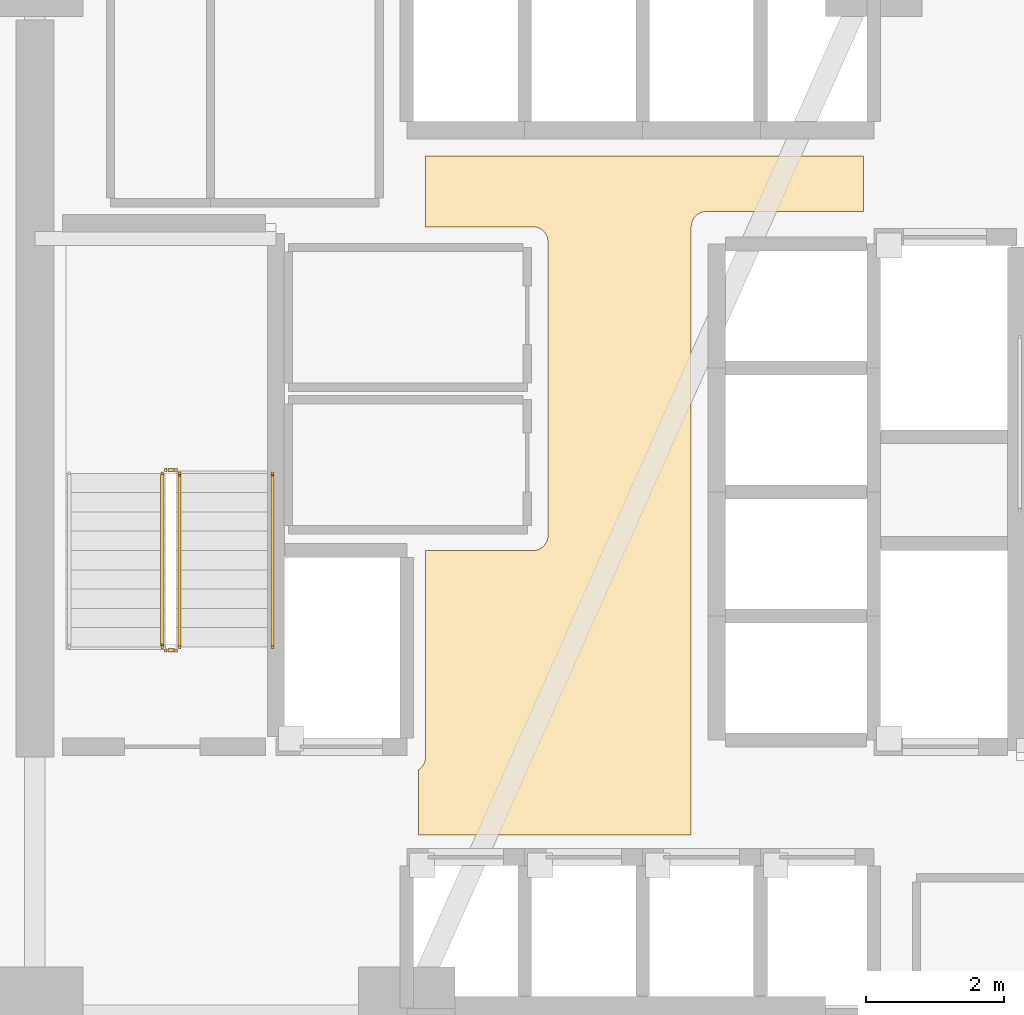
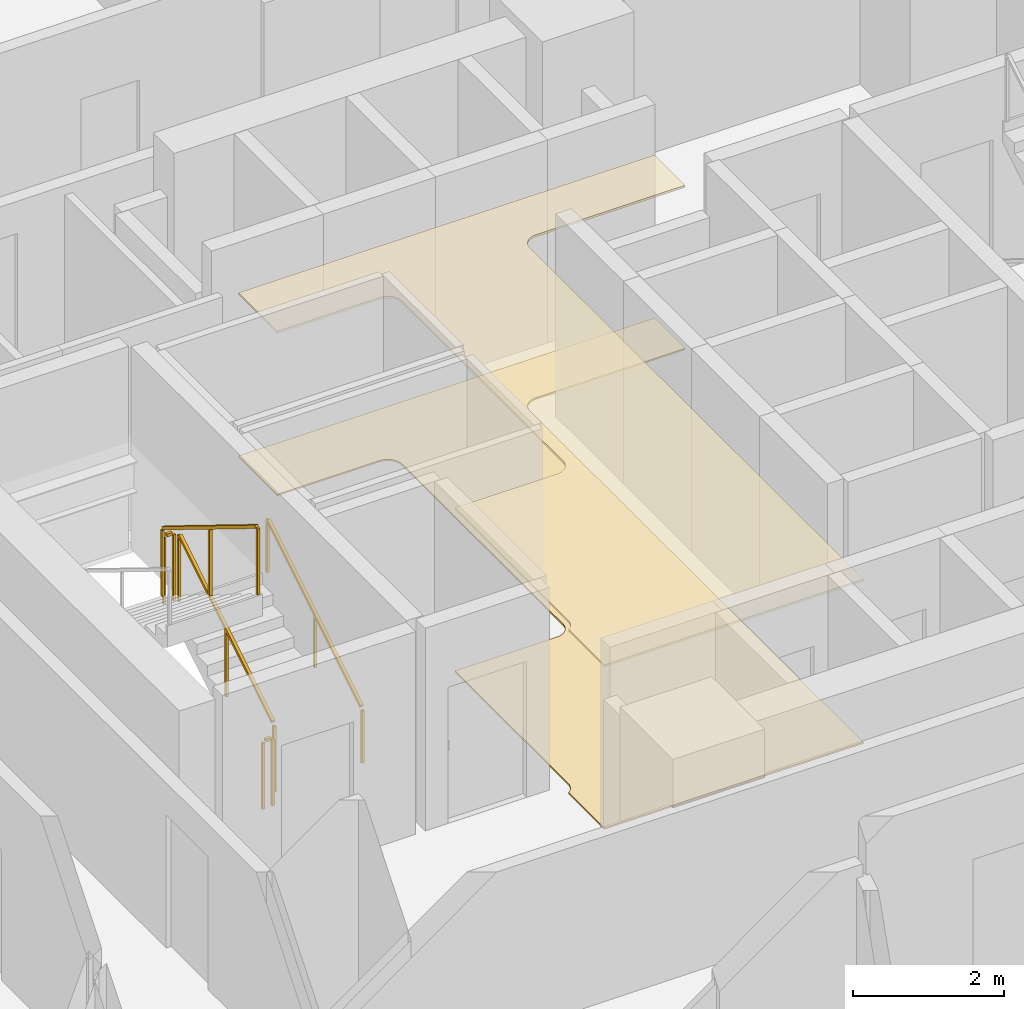
# One storey, part 12 of 15: 5 railings, 2 coverings.
"""IFC4 building model written with IfcOpenShell, lengths in metres."""

from ifc_helpers import new_model, si_unit, direction, frame, origin, origin_2d, place, context, subcontext, project, spatial, polyline, rectangle, outline, extrude, material, layer, layer_set, type_object, element, save


model = new_model("IFC4")

# Units and contexts
model_context = context("Model", 3, precision=1e-05, world=origin(), true_north=direction((0.0, 1.0)))
body_context = subcontext(model_context, "Body", "Model", "MODEL_VIEW")
ifc_project = project(units=[si_unit("LENGTHUNIT", "METRE"), si_unit("AREAUNIT", "SQUARE_METRE"), si_unit("VOLUMEUNIT", "CUBIC_METRE"), si_unit("PLANEANGLEUNIT", "RADIAN"), si_unit("MASSUNIT", "GRAM", prefix="KILO")], contexts=[model_context])

# Site, building, storey
site_placement = place(None, origin())
site = spatial("IfcSite", under=ifc_project, at=site_placement, CompositionType="ELEMENT")
building_placement = place(site_placement, origin())
building = spatial("IfcBuilding", under=site, at=building_placement, Name="Tharavind Bronze Gate", CompositionType="ELEMENT")
storey_placement = place(building_placement, frame((0.0, 0.0, 67.300048828125)))
storey = spatial("IfcBuildingStorey", under=building, at=storey_placement, Name="L16", CompositionType="ELEMENT", Elevation=67.300048828125)

# Coverings
ifc_material_1 = material(Name="Perforated Bronze Acoustic Panel", Category="bronze")
ifc_layer_1 = layer(ifc_material_1, 0.044921875)
ifc_layer_set_1 = layer_set([ifc_layer_1], Name="Perforated Bronze Acoustic Panel")
covering_type_1 = type_object("IfcCoveringType", Name="ACOUSTIC BRONZE BAFFLE CEILING", PredefinedType="CEILING", material=ifc_layer_set_1)
covering_1_placement = place(storey_placement, frame((0.0, 0.0, 2.625)))
element("IfcCovering", 1, at=covering_1_placement, inside=storey, type_object=covering_type_1, Name="L16-C-LL suspended ceiling", PredefinedType="CEILING", context=body_context, shape_type="SweptSolid", body=[
    extrude(outline(polyline([(-3.330078125, -4.97998046875), (0.6298828125, -4.97998046875), (0.6298828125, 3.85009765625), (0.631103515625, 3.87158203125), (0.63427734375, 3.892822265625), (0.639404296875, 3.913818359375), (0.646728515625, 3.93408203125), (0.656005859375, 3.95361328125), (0.6669921875, 3.97216796875), (0.679931640625, 3.989501953125), (0.6943359375, 4.005615234375), (0.71044921875, 4.02001953125), (0.727783203125, 4.032958984375), (0.746337890625, 4.0439453125), (0.765869140625, 4.05322265625), (0.7861328125, 4.060546875), (0.80712890625, 4.06591796875), (0.828369140625, 4.06884765625), (0.85009765625, 4.070068359375), (3.1298828125, 4.070068359375), (3.1298828125, 4.8798828125), (-3.22998046875, 4.8798828125), (-3.22998046875, 3.85009765625), (-1.669921875, 3.85009765625), (-1.6484375, 3.848876953125), (-1.627197265625, 3.845703125), (-1.606201171875, 3.840576171875), (-1.585693359375, 3.833251953125), (-1.56640625, 3.823974609375), (-1.5478515625, 3.81298828125), (-1.530517578125, 3.800048828125), (-1.514404296875, 3.78564453125), (-1.5, 3.76953125), (-1.487060546875, 3.752197265625), (-1.47607421875, 3.733642578125), (-1.466796875, 3.714111328125), (-1.45947265625, 3.69384765625), (-1.4541015625, 3.6728515625), (-1.451171875, 3.651611328125), (-1.449951171875, 3.6298828125), (-1.449951171875, 1.43994140625), (-1.450439453125, 1.429931640625), (-1.449951171875, 1.419921875), (-1.449951171875, -0.6298828125), (-1.451171875, -0.651611328125), (-1.4541015625, -0.6728515625), (-1.45947265625, -0.69384765625), (-1.466796875, -0.714111328125), (-1.47607421875, -0.733642578125), (-1.487060546875, -0.752197265625), (-1.5, -0.76953125), (-1.514404296875, -0.78564453125), (-1.530517578125, -0.800048828125), (-1.5478515625, -0.81298828125), (-1.56640625, -0.823974609375), (-1.585693359375, -0.833251953125), (-1.606201171875, -0.840576171875), (-1.627197265625, -0.845703125), (-1.6484375, -0.848876953125), (-1.669921875, -0.85009765625), (-3.22998046875, -0.85009765625), (-3.22998046875, -3.85009765625), (-3.231201171875, -3.87158203125), (-3.234130859375, -3.892822265625), (-3.239501953125, -3.913818359375), (-3.24658203125, -3.93408203125), (-3.256103515625, -3.95361328125), (-3.26708984375, -3.97216796875), (-3.27978515625, -3.989501953125), (-3.29443359375, -4.005615234375), (-3.310302734375, -4.02001953125), (-3.327880859375, -4.032958984375), (-3.330078125, -4.0341796875), (-3.330078125, -4.97998046875)])), origin(), (0.0, 0.0, 1.0), 0.034912109375),
])
ifc_material_2 = material(Name="Honed Travertine Limestone", Category="masonry")
ifc_layer_2 = layer(ifc_material_2, 0.030029296875)
ifc_layer_set_2 = layer_set([ifc_layer_2], Name="Honed Travertine Limestone")
covering_type_2 = type_object("IfcCoveringType", Name="HONED LIMESTONE FLOORING", PredefinedType="FLOORING", material=ifc_layer_set_2)
covering_2_placement = place(storey_placement, origin())
element("IfcCovering", 2, at=covering_2_placement, inside=storey, type_object=covering_type_2, Name="L16-C-LL floor finish", PredefinedType="FLOORING", context=body_context, shape_type="SweptSolid", body=[
    extrude(outline(polyline([(-3.330078125, -4.97998046875), (0.6298828125, -4.97998046875), (0.6298828125, 3.85009765625), (0.631103515625, 3.87158203125), (0.63427734375, 3.892822265625), (0.639404296875, 3.913818359375), (0.646728515625, 3.93408203125), (0.656005859375, 3.95361328125), (0.6669921875, 3.97216796875), (0.679931640625, 3.989501953125), (0.6943359375, 4.005615234375), (0.71044921875, 4.02001953125), (0.727783203125, 4.032958984375), (0.746337890625, 4.0439453125), (0.765869140625, 4.05322265625), (0.7861328125, 4.060546875), (0.80712890625, 4.06591796875), (0.828369140625, 4.06884765625), (0.85009765625, 4.070068359375), (3.1298828125, 4.070068359375), (3.1298828125, 4.8798828125), (-3.22998046875, 4.8798828125), (-3.22998046875, 3.85009765625), (-1.669921875, 3.85009765625), (-1.6484375, 3.848876953125), (-1.627197265625, 3.845703125), (-1.606201171875, 3.840576171875), (-1.585693359375, 3.833251953125), (-1.56640625, 3.823974609375), (-1.5478515625, 3.81298828125), (-1.530517578125, 3.800048828125), (-1.514404296875, 3.78564453125), (-1.5, 3.76953125), (-1.487060546875, 3.752197265625), (-1.47607421875, 3.733642578125), (-1.466796875, 3.714111328125), (-1.45947265625, 3.69384765625), (-1.4541015625, 3.6728515625), (-1.451171875, 3.651611328125), (-1.449951171875, 3.6298828125), (-1.449951171875, 1.43994140625), (-1.450439453125, 1.429931640625), (-1.449951171875, 1.419921875), (-1.449951171875, -0.6298828125), (-1.451171875, -0.651611328125), (-1.4541015625, -0.6728515625), (-1.45947265625, -0.69384765625), (-1.466796875, -0.714111328125), (-1.47607421875, -0.733642578125), (-1.487060546875, -0.752197265625), (-1.5, -0.76953125), (-1.514404296875, -0.78564453125), (-1.530517578125, -0.800048828125), (-1.5478515625, -0.81298828125), (-1.56640625, -0.823974609375), (-1.585693359375, -0.833251953125), (-1.606201171875, -0.840576171875), (-1.627197265625, -0.845703125), (-1.6484375, -0.848876953125), (-1.669921875, -0.85009765625), (-3.22998046875, -0.85009765625), (-3.22998046875, -3.85009765625), (-3.231201171875, -3.87158203125), (-3.234130859375, -3.892822265625), (-3.239501953125, -3.913818359375), (-3.24658203125, -3.93408203125), (-3.256103515625, -3.95361328125), (-3.26708984375, -3.97216796875), (-3.27978515625, -3.989501953125), (-3.29443359375, -4.005615234375), (-3.310302734375, -4.02001953125), (-3.327880859375, -4.032958984375), (-3.330078125, -4.0341796875), (-3.330078125, -4.97998046875)])), origin(), (0.0, 0.0, 1.0), 0.02490234375),
])

# Railings
ifc_material_3 = material(Name="Brushed Bronze Alloy", Category="metal")
railing_type_1 = type_object("IfcRailingType", Name="STAIR BRONZE HANDRAIL 900", PredefinedType="HANDRAIL", material=ifc_material_3)
railing_1_placement = place(storey_placement, frame((-5.449951171875, -2.25, 0.17236328125)))
element("IfcRailing", 3, at=railing_1_placement, inside=storey, type_object=railing_type_1, Name="L16 ST1 stair handrail 1", PredefinedType="HANDRAIL", context=body_context, shape_type="SweptSolid", body=[
    extrude(rectangle(XDim=0.048095703125, YDim=0.048095703125, at=origin_2d()), frame((0.0, 0.02734375, 0.892578125), z_axis=(0.0, 0.851400495292, 0.524516154772), x_axis=(-1.0, 0.0, 0.0)), (0.0, 0.0, 1.0), 2.895751953125),
    extrude(rectangle(XDim=0.0400390625, YDim=0.0400390625, at=origin_2d()), origin(), (0.0, 0.0, 1.0), 0.847900390625),
    extrude(rectangle(XDim=0.0400390625, YDim=0.0400390625, at=origin_2d()), frame((0.0, 1.260009765625, 0.7763671875)), (0.0, 0.0, 1.0), 0.847900390625),
    extrude(rectangle(XDim=0.0400390625, YDim=0.0400390625, at=origin_2d()), frame((0.0, 2.52001953125, 1.552490234375)), (0.0, 0.0, 1.0), 0.847900390625),
])
railing_type_2 = type_object("IfcRailingType", Name="STAIR WELL GUARD RAILING 1120", PredefinedType="GUARDRAIL", material=ifc_material_3)
railing_2_placement = place(storey_placement, frame((-6.800048828125, -2.25, 0.17236328125)))
element("IfcRailing", 4, at=railing_2_placement, inside=storey, type_object=railing_type_2, Name="L16 ST1 stair guard 1", PredefinedType="GUARDRAIL", context=body_context, shape_type="SweptSolid", body=[
    extrude(rectangle(XDim=0.048095703125, YDim=0.048095703125, at=origin_2d()), frame((0.0, 0.02734375, 1.11279296875), z_axis=(0.0, 0.851400495292, 0.524516154772), x_axis=(-1.0, 0.0, 0.0)), (0.0, 0.0, 1.0), 2.895751953125),
    extrude(rectangle(XDim=0.0400390625, YDim=0.0400390625, at=origin_2d()), origin(), (0.0, 0.0, 1.0), 1.068115234375),
    extrude(rectangle(XDim=0.0400390625, YDim=0.0400390625, at=origin_2d()), frame((0.0, 1.260009765625, 0.7763671875)), (0.0, 0.0, 1.0), 1.068115234375),
    extrude(rectangle(XDim=0.0400390625, YDim=0.0400390625, at=origin_2d()), frame((0.0, 2.52001953125, 1.552490234375)), (0.0, 0.0, 1.0), 1.068115234375),
])
railing_3_placement = place(storey_placement, frame((-6.85009765625, 0.320068359375, 1.724853515625)))
element("IfcRailing", 5, at=railing_3_placement, inside=storey, type_object=railing_type_2, Name="L16 ST1 stair guard 2", PredefinedType="GUARDRAIL", context=body_context, shape_type="SweptSolid", body=[
    extrude(rectangle(XDim=0.048095703125, YDim=0.048095703125, at=origin_2d()), frame((-0.031982421875, 0.0, 1.09619140625), z_axis=(-1.0, 0.0, 0.0), x_axis=(0.0, -1.0, 0.0)), (0.0, 0.0, 1.0), 0.0859375),
    extrude(rectangle(XDim=0.0400390625, YDim=0.0400390625, at=origin_2d()), origin(), (0.0, 0.0, 1.0), 1.068115234375),
    extrude(rectangle(XDim=0.0400390625, YDim=0.0400390625, at=origin_2d()), frame((-0.14990234375, 0.0, 0.0)), (0.0, 0.0, 1.0), 1.068115234375),
])
railing_4_placement = place(storey_placement, frame((-7.050048828125, 0.27001953125, 1.8974609375)))
element("IfcRailing", 6, at=railing_4_placement, inside=storey, type_object=railing_type_2, Name="L16 ST1 stair guard 3", PredefinedType="GUARDRAIL", context=body_context, shape_type="SweptSolid", body=[
    extrude(rectangle(XDim=0.048095703125, YDim=0.048095703125, at=origin_2d()), frame((0.0, -0.02734375, 1.11279296875), z_axis=(0.0, -0.851400495292, 0.524516154772), x_axis=(1.0, 0.0, 0.0)), (0.0, 0.0, 1.0), 2.895751953125),
    extrude(rectangle(XDim=0.0400390625, YDim=0.0400390625, at=origin_2d()), origin(), (0.0, 0.0, 1.0), 1.068115234375),
    extrude(rectangle(XDim=0.0400390625, YDim=0.0400390625, at=origin_2d()), frame((0.0, -1.260009765625, 0.7763671875)), (0.0, 0.0, 1.0), 1.068115234375),
    extrude(rectangle(XDim=0.0400390625, YDim=0.0400390625, at=origin_2d()), frame((0.0, -2.52001953125, 1.552490234375)), (0.0, 0.0, 1.0), 1.068115234375),
])
railing_5_placement = place(storey_placement, frame((-6.85009765625, -2.300048828125, 0.0)))
element("IfcRailing", 7, at=railing_5_placement, inside=storey, type_object=railing_type_2, Name="L16 ST1 stair guard 4", PredefinedType="GUARDRAIL", context=body_context, shape_type="SweptSolid", body=[
    extrude(rectangle(XDim=0.048095703125, YDim=0.048095703125, at=origin_2d()), frame((-0.031982421875, 0.0, 1.09619140625), z_axis=(-1.0, 0.0, 0.0), x_axis=(0.0, -1.0, 0.0)), (0.0, 0.0, 1.0), 0.0859375),
    extrude(rectangle(XDim=0.0400390625, YDim=0.0400390625, at=origin_2d()), origin(), (0.0, 0.0, 1.0), 1.068115234375),
    extrude(rectangle(XDim=0.0400390625, YDim=0.0400390625, at=origin_2d()), frame((-0.14990234375, 0.0, 0.0)), (0.0, 0.0, 1.0), 1.068115234375),
])

save(model, "model.ifc")
